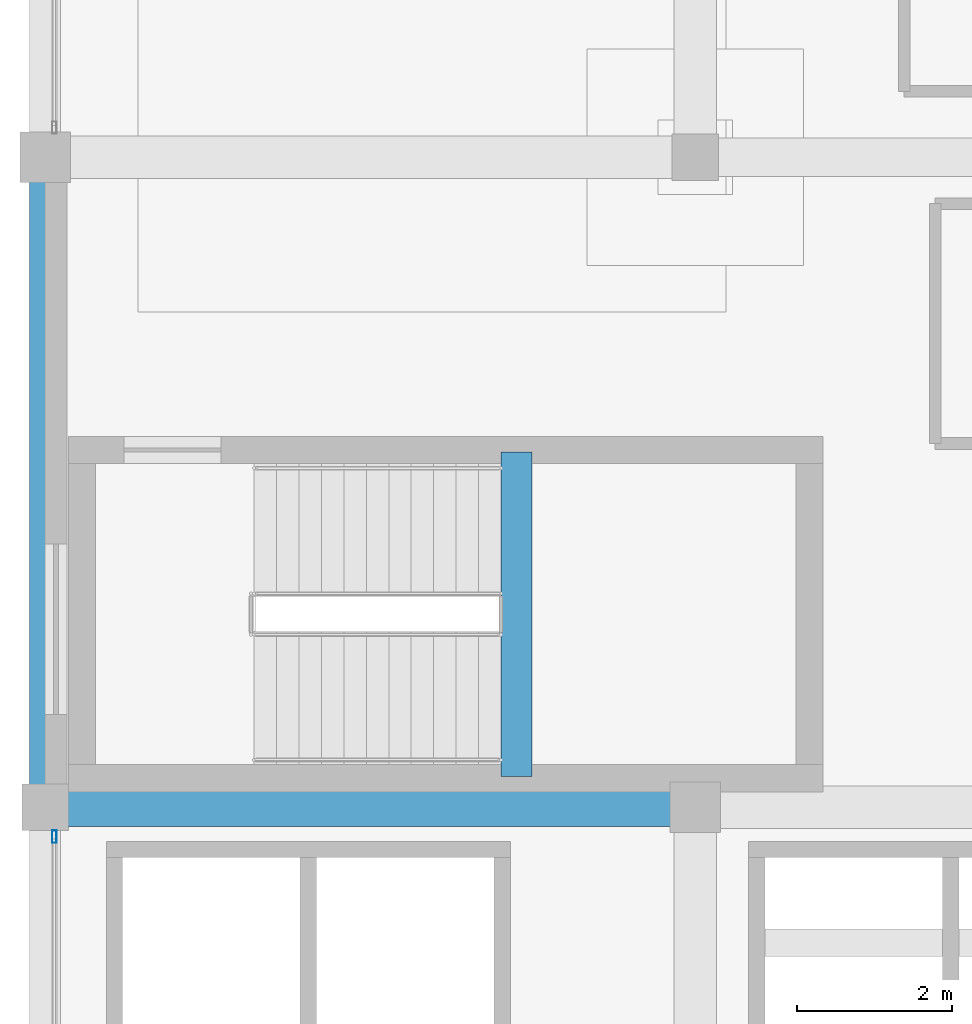
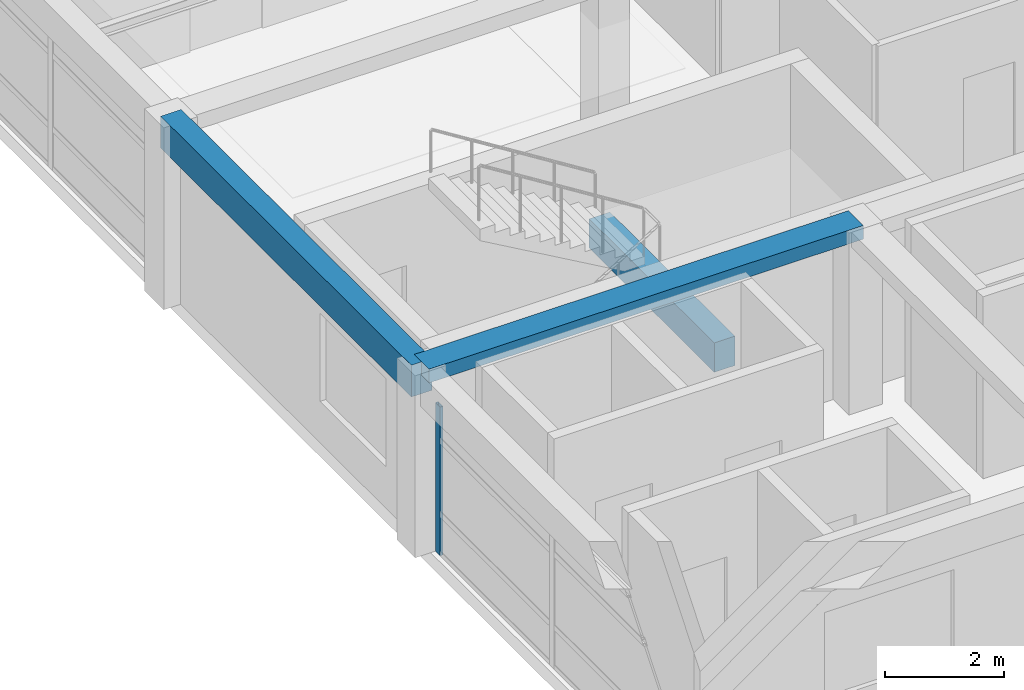
# One storey, part 4 of 26: 3 beams, 1 member, 1 element without a shape of its own.
"""IFC4 building model written with IfcOpenShell, lengths in metres."""

from ifc_helpers import new_model, si_unit, direction, frame, origin, origin_2d, place, context, subcontext, project, spatial, rectangle, hollow_rectangle, extrude, material, material_profile, profile_set, type_object, element, aggregate, save


model = new_model("IFC4")

# Units and contexts
model_context = context("Model", 3, precision=1e-05, world=origin(), true_north=direction((0.0, 1.0)))
body_context = subcontext(model_context, "Body", "Model", "MODEL_VIEW")
ifc_project = project(units=[si_unit("LENGTHUNIT", "METRE"), si_unit("AREAUNIT", "SQUARE_METRE"), si_unit("VOLUMEUNIT", "CUBIC_METRE"), si_unit("PLANEANGLEUNIT", "RADIAN"), si_unit("MASSUNIT", "GRAM", prefix="KILO")], contexts=[model_context])

# Site, building, storey
site_placement = place(None, origin())
site = spatial("IfcSite", under=ifc_project, at=site_placement, CompositionType="ELEMENT")
building_placement = place(site_placement, origin())
building = spatial("IfcBuilding", under=site, at=building_placement, Name="Almacenes y Pasaje Nevantli", CompositionType="ELEMENT")
storey_placement = place(building_placement, frame((0.0, 0.0, 46.699951171875)))
storey = spatial("IfcBuildingStorey", under=building, at=storey_placement, Name="L11", CompositionType="ELEMENT", Elevation=46.699951171875)

# Beams
ifc_material_1 = material(Name="Concrete C35/45", Category="concrete")
ifc_material_profile_1 = material_profile(ifc_material_1, rectangle(XDim=0.39990234375, YDim=0.60009765625, at=origin_2d()), Name="RC-BM-400x600")
ifc_profile_set_1 = profile_set([ifc_material_profile_1], Name="Concrete C35/45")
beam_type_1 = type_object("IfcBeamType", Name="BM-RC-400x600", PredefinedType="SPANDREL", material=ifc_profile_set_1)
beam_1_placement = place(storey_placement, frame((123.68994140625, 76.0, 1.5), z_axis=(0.0, 1.0, 0.0), x_axis=(-1.0, 0.0, 0.0)))
element("IfcBeam", 1, at=beam_1_placement, inside=storey, type_object=beam_type_1, Name="L11 Stair ST-01 Half-Landing Support Beam", PredefinedType="SPANDREL", context=body_context, shape_type="SweptSolid", body=[
    extrude(rectangle(XDim=0.39990234375, YDim=0.60009765625, at=origin_2d()), origin(), (0.0, 0.0, 1.0), 4.18994140625),
])
ifc_material_2 = material(Name="Concrete C35/45", Category="concrete")
ifc_material_profile_2 = material_profile(ifc_material_2, rectangle(XDim=0.39990234375, YDim=0.64990234375, at=origin_2d()), Name="RC-BM-400x650")
ifc_profile_set_2 = profile_set([ifc_material_profile_2], Name="Concrete C35/45")
beam_type_2 = type_object("IfcBeamType", Name="BM-RC-400x650", PredefinedType="SPANDREL", material=ifc_profile_set_2)
beam_2_placement = place(storey_placement, frame((117.60009765625, 75.60009765625, 3.39501953125), z_axis=(0.0, 1.0, 0.0), x_axis=(-1.0, 0.0, 0.0)))
element("IfcBeam", 2, at=beam_2_placement, inside=storey, type_object=beam_type_2, Name="L11 North-South Reinforced Concrete Beam #3870", PredefinedType="SPANDREL", context=body_context, shape_type="SweptSolid", body=[
    extrude(rectangle(XDim=0.39990234375, YDim=0.64990234375, at=origin_2d()), origin(), (0.0, 0.0, 1.0), 8.39990234375),
])
ifc_material_3 = material(Name="Concrete C35/45", Category="concrete")
ifc_material_profile_3 = material_profile(ifc_material_3, rectangle(XDim=0.5, YDim=0.280029296875, at=origin_2d()), Name="RC-BM-500x280")
ifc_profile_set_3 = profile_set([ifc_material_profile_3], Name="Concrete C35/45")
beam_type_3 = type_object("IfcBeamType", Name="BM-RC-500x280", PredefinedType="BEAM", material=ifc_profile_set_3)
beam_3_placement = place(storey_placement, frame((117.60009765625, 75.60009765625, 3.580078125), z_axis=(1.0, 0.0, 0.0), x_axis=(0.0, 1.0, 0.0)))
element("IfcBeam", 3, at=beam_3_placement, inside=storey, type_object=beam_type_3, Name="L11 East-West Reinforced Concrete Beam #3849", PredefinedType="BEAM", context=body_context, shape_type="SweptSolid", body=[
    extrude(rectangle(XDim=0.5, YDim=0.280029296875, at=origin_2d()), origin(), (0.0, 0.0, 1.0), 8.39990234375),
])

# Curtain wall, member
ifc_material_4 = material(Name="Thermally Broken Aluminium and Low-E Glass", Category="aluminium")
curtain_wall_type = type_object("IfcCurtainWallType", Name="CW-UNIT-TOWER", PredefinedType="USERDEFINED", material=ifc_material_4)
curtain_wall_placement = place(storey_placement, origin())
curtain_wall = element("IfcCurtainWall", 4, at=curtain_wall_placement, inside=storey, type_object=curtain_wall_type, Name="L11 Tower West Curtain Wall Bay 9", ObjectType="UNITIZED CURTAIN WALL", PredefinedType="USERDEFINED")
ifc_material_5 = material(Name="Thermally Broken Anodized Aluminium", Category="aluminium")
ifc_material_profile_4 = material_profile(ifc_material_5, hollow_rectangle(XDim=0.06005859375, YDim=0.159912109375, WallThickness=0.00390625, at=origin_2d()), Name="ALU-MUL-60x160")
ifc_profile_set_4 = profile_set([ifc_material_profile_4], Name="Thermally Broken Anodized Aluminium")
member_type = type_object("IfcMemberType", Name="CW-MUL-180", PredefinedType="MULLION", material=ifc_profile_set_4)
member_placement = place(storey_placement, frame((117.719970703125, 75.219970703125, 0.0), z_axis=(0.0, 0.0, 1.0), x_axis=(-1.0, 0.0, 0.0)))
member = element("IfcMember", 5, at=member_placement, type_object=member_type, Name="CW-L11-155 mullion 3", PredefinedType="MULLION", context=body_context, shape_type="SweptSolid", body=[
    extrude(hollow_rectangle(XDim=0.06005859375, YDim=0.159912109375, WallThickness=0.00390625, at=origin_2d()), origin(), (0.0, 0.0, 1.0), 3.0400390625),
])
aggregate(curtain_wall, [member])

save(model, "model.ifc")
